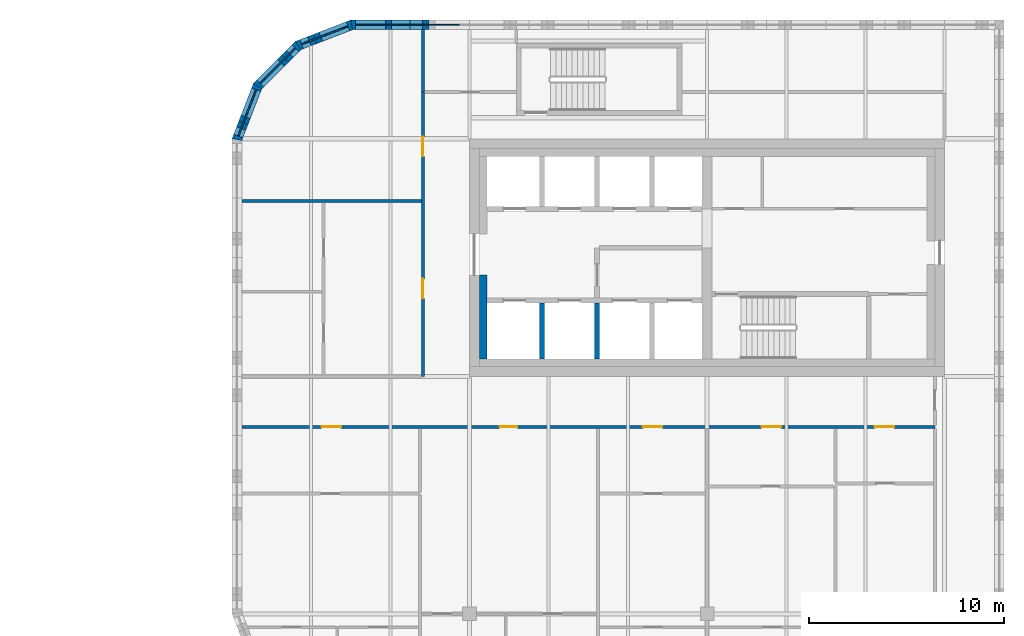
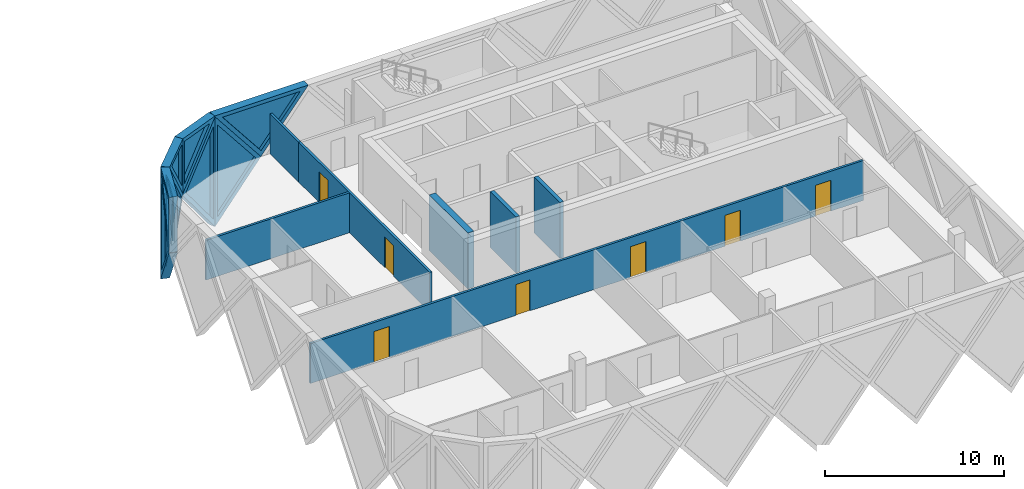
# One storey, part 18 of 24: 15 walls, 8 plates, 7 doors, 15 openings.
"""IFC4 building model written with IfcOpenShell, lengths in metres."""

from ifc_helpers import new_model, si_unit, direction, frame, frame_2d, origin, place, context, subcontext, project, spatial, polyline, rectangle, outline, extrude, faceted_brep, source, transform, mapped, material, layer, layer_set, type_object, element, fill, save


model = new_model("IFC4")

# Units and contexts
model_context = context("Model", 3, precision=1e-05, world=origin(), true_north=direction((0.0, 1.0)))
body_context = subcontext(model_context, "Body", "Model", "MODEL_VIEW")
ifc_project = project(units=[si_unit("LENGTHUNIT", "METRE"), si_unit("AREAUNIT", "SQUARE_METRE"), si_unit("VOLUMEUNIT", "CUBIC_METRE"), si_unit("PLANEANGLEUNIT", "RADIAN"), si_unit("MASSUNIT", "GRAM", prefix="KILO")], contexts=[model_context])

# Site, building, storey
site_placement = place(None, origin())
site = spatial("IfcSite", under=ifc_project, at=site_placement, CompositionType="ELEMENT")
building_placement = place(site_placement, origin())
building = spatial("IfcBuilding", under=site, at=building_placement, Name="Tessera Gate Towers", CompositionType="ELEMENT")
storey_placement = place(building_placement, frame((0.0, 0.0, 102.800048828125)))
storey = spatial("IfcBuildingStorey", under=building, at=storey_placement, Name="L25", CompositionType="ELEMENT", Elevation=102.800048828125)

# Walls
ifc_material_1 = material(Name="Concrete C40/50", Category="concrete")
ifc_layer_1 = layer(ifc_material_1, 0.25)
ifc_layer_set_1 = layer_set([ifc_layer_1], Name="CORE ENCLOSURE WALL 250")
wall_type_1 = type_object("IfcWallType", Name="CORE ENCLOSURE WALL 250", PredefinedType="SOLIDWALL", material=ifc_layer_set_1)
for number, where, z_axis, x_axis, name in (
    (1, (104.14990234375, 37.5, 0.0), (0.0, 0.0, 1.0), (0.0, 1.0, 0.0), "L25 shaft and stair enclosure wall"),
    (2, (101.324951171875, 37.5, 0.0), (0.0, 0.0, 1.0), (0.0, 1.0, 0.0), "L25 shaft and stair enclosure wall"),
):
    element("IfcWall", number, at=place(storey_placement, frame(where, z_axis=z_axis, x_axis=x_axis)), inside=storey, type_object=wall_type_1, Name=name, PredefinedType="SOLIDWALL", context=body_context, shape_type="SweptSolid", body=[
        extrude(rectangle(XDim=2.875, YDim=0.25, at=frame_2d((1.4375, 0.0))), origin(), (0.0, 0.0, 1.0), 3.800048828125),
    ])
ifc_material_2 = material(Name="Concrete C50/60", Category="concrete")
ifc_layer_2 = layer(ifc_material_2, 0.39990234375)
ifc_layer_set_2 = layer_set([ifc_layer_2], Name="CORE WALL THICKENING 400")
wall_type_2 = type_object("IfcWallType", Name="CORE WALL THICKENING 400", PredefinedType="SOLIDWALL", material=ifc_layer_set_2)
wall_1_placement = place(storey_placement, frame((98.300048828125, 37.5, 0.0), z_axis=(0.0, 0.0, 1.0), x_axis=(0.0, 1.0, 0.0)))
element("IfcWall", 3, at=wall_1_placement, inside=storey, type_object=wall_type_2, Name="Core wall thickening W L25", PredefinedType="SOLIDWALL", context=body_context, shape_type="SweptSolid", body=[
    extrude(rectangle(XDim=4.300048828125, YDim=0.39990234375, at=frame_2d((2.14990234375, 0.0))), origin(), (0.0, 0.0, 1.0), 3.800048828125),
])

# Wall, openings, doors
ifc_material_3 = material(Name="Gypsum board on steel studs, mineral wool", Category="steel")
ifc_layer_3 = layer(ifc_material_3, 0.14990234375)
ifc_layer_set_3 = layer_set([ifc_layer_3], Name="CORRIDOR WALL 150")
wall_type_3 = type_object("IfcWallType", Name="CORRIDOR WALL 150", PredefinedType="PARTITIONING", material=ifc_layer_set_3)
wall_2_placement = place(storey_placement, frame((121.5, 34.0, 0.0), z_axis=(0.0, 0.0, 1.0), x_axis=(-1.0, 0.0, 0.0)))
wall_2 = element("IfcWall", 4, at=wall_2_placement, inside=storey, type_object=wall_type_3, Name="T2-L25-PW-024", PredefinedType="PARTITIONING", context=body_context, shape_type="SweptSolid", body=[
    extrude(rectangle(XDim=35.60009765625, YDim=0.14990234375, at=frame_2d((17.800048828125, 0.0))), origin(), (0.0, 0.0, 1.0), 2.71484375),
])
shared_shape_1 = source(origin(), body_context, "Body", "SweptSolid", [
    extrude(rectangle(XDim=1.0, YDim=2.10009765625, at=frame_2d((0.5, 1.050048828125))), frame((0.0, 0.0849609375, 0.0), z_axis=(0.0, -1.0, 0.0), x_axis=(1.0, 0.0, 0.0)), (0.0, 0.0, 1.0), 0.169921875),
])
opening_1_placement = place(wall_2_placement, frame((2.09912109375, 0.0, 0.0)))
opening_1 = element("IfcOpeningElement", 5, at=opening_1_placement, cuts=wall_2, Name="Opening D2100FD60-B10-01", PredefinedType="OPENING", context=body_context, shape_type="MappedRepresentation", body=[
    mapped(shared_shape_1, transform((0.0, 0.0, 0.0), scale=1.0)),
])
opening_2_placement = place(wall_2_placement, frame((13.9990234375, 0.0, 0.0)))
opening_2 = element("IfcOpeningElement", 6, at=opening_2_placement, cuts=wall_2, Name="Opening D2100FD60-B10-02", PredefinedType="OPENING", context=body_context, shape_type="MappedRepresentation", body=[
    mapped(shared_shape_1, transform((0.0, 0.0, 0.0), scale=1.0)),
])
opening_3_placement = place(wall_2_placement, frame((7.89990234375, 0.0, 0.0)))
opening_3 = element("IfcOpeningElement", 7, at=opening_3_placement, cuts=wall_2, Name="Opening D2100FD60-B10-04", PredefinedType="OPENING", context=body_context, shape_type="MappedRepresentation", body=[
    mapped(shared_shape_1, transform((0.0, 0.0, 0.0), scale=1.0)),
])
opening_4_placement = place(wall_2_placement, frame((30.5, 0.0, 0.0)))
opening_4 = element("IfcOpeningElement", 8, at=opening_4_placement, cuts=wall_2, Name="Opening D2100FD60-B10-05", PredefinedType="OPENING", context=body_context, shape_type="MappedRepresentation", body=[
    mapped(shared_shape_1, transform((0.0, 0.0, 0.0), scale=1.0)),
])
shared_shape_2 = source(origin(), body_context, "Body", "SweptSolid", [
    extrude(rectangle(XDim=0.89990234375, YDim=2.10009765625, at=frame_2d((0.449951171875, 1.050048828125))), frame((0.0, 0.0849609375, 0.0), z_axis=(0.0, -1.0, 0.0), x_axis=(1.0, 0.0, 0.0)), (0.0, 0.0, 1.0), 0.169921875),
])
opening_5_placement = place(wall_2_placement, frame((21.449951171875, 0.0, 0.0)))
opening_5 = element("IfcOpeningElement", 9, at=opening_5_placement, cuts=wall_2, Name="Opening D890FD60-B10-02", PredefinedType="OPENING", context=body_context, shape_type="MappedRepresentation", body=[
    mapped(shared_shape_2, transform((0.0, 0.0, 0.0), scale=1.0)),
])
ifc_material_4 = material(Name="Timber door leaf in steel frame", Category="steel")
door_type_1 = type_object("IfcDoorType", Name="CORRIDOR DOOR 900 FD60", OperationType="NOTDEFINED", PredefinedType="DOOR", material=ifc_material_4)
shared_shape_3 = source(origin(), body_context, "Body", "SweptSolid", [
    extrude(rectangle(XDim=0.89990234375, YDim=2.10009765625, at=frame_2d((0.449951171875, 1.050048828125))), frame((0.0, 0.02490234375, 0.0), z_axis=(0.0, -1.0, 0.0), x_axis=(1.0, 0.0, 0.0)), (0.0, 0.0, 1.0), 0.050048828125),
])
door_1_placement = place(opening_5_placement, origin())
door_1 = element("IfcDoor", 10, at=door_1_placement, inside=storey, type_object=door_type_1, Name="T2-L25-PD-020", OperationType="SINGLE_SWING_RIGHT", OverallHeight=2.10009765625, OverallWidth=0.89990234375, PredefinedType="DOOR", context=body_context, shape_type="MappedRepresentation", body=[
    mapped(shared_shape_3, transform((0.0, 0.0, 0.0), scale=1.0)),
])
fill(opening_5, door_1)
ifc_material_5 = material(Name="Timber door leaf in steel frame", Category="steel")
door_type_2 = type_object("IfcDoorType", Name="TENANCY ENTRANCE DOOR 1000 FD60", OperationType="NOTDEFINED", PredefinedType="DOOR", material=ifc_material_5)
shared_shape_4 = source(origin(), body_context, "Body", "SweptSolid", [
    extrude(rectangle(XDim=1.0, YDim=2.10009765625, at=frame_2d((0.5, 1.050048828125))), frame((0.0, 0.02490234375, 0.0), z_axis=(0.0, -1.0, 0.0), x_axis=(1.0, 0.0, 0.0)), (0.0, 0.0, 1.0), 0.050048828125),
])
door_2_placement = place(opening_1_placement, origin())
door_2 = element("IfcDoor", 11, at=door_2_placement, inside=storey, type_object=door_type_2, Name="T2-L25-PD-010", OperationType="SINGLE_SWING_RIGHT", OverallHeight=2.10009765625, OverallWidth=1.0, PredefinedType="DOOR", context=body_context, shape_type="MappedRepresentation", body=[
    mapped(shared_shape_4, transform((0.0, 0.0, 0.0), scale=1.0)),
])
fill(opening_1, door_2)
door_3_placement = place(opening_2_placement, origin())
door_3 = element("IfcDoor", 12, at=door_3_placement, inside=storey, type_object=door_type_2, Name="T2-L25-PD-013", OperationType="SINGLE_SWING_RIGHT", OverallHeight=2.10009765625, OverallWidth=1.0, PredefinedType="DOOR", context=body_context, shape_type="MappedRepresentation", body=[
    mapped(shared_shape_4, transform((0.0, 0.0, 0.0), scale=1.0)),
])
fill(opening_2, door_3)
door_4_placement = place(opening_3_placement, origin())
door_4 = element("IfcDoor", 13, at=door_4_placement, inside=storey, type_object=door_type_2, Name="T2-L25-PD-017", OperationType="SINGLE_SWING_RIGHT", OverallHeight=2.10009765625, OverallWidth=1.0, PredefinedType="DOOR", context=body_context, shape_type="MappedRepresentation", body=[
    mapped(shared_shape_4, transform((0.0, 0.0, 0.0), scale=1.0)),
])
fill(opening_3, door_4)
door_5_placement = place(opening_4_placement, origin())
door_5 = element("IfcDoor", 14, at=door_5_placement, inside=storey, type_object=door_type_2, Name="T2-L25-PD-018", OperationType="SINGLE_SWING_RIGHT", OverallHeight=2.10009765625, OverallWidth=1.0, PredefinedType="DOOR", context=body_context, shape_type="MappedRepresentation", body=[
    mapped(shared_shape_4, transform((0.0, 0.0, 0.0), scale=1.0)),
])
fill(opening_4, door_5)

wall_3_placement = place(storey_placement, frame((95.199951171875, 36.60009765625, 0.0), z_axis=(0.0, 0.0, 1.0), x_axis=(0.0, 1.0, 0.0)))
wall_3 = element("IfcWall", 15, at=wall_3_placement, inside=storey, type_object=wall_type_3, Name="T2-L25-PW-027", PredefinedType="PARTITIONING", context=body_context, shape_type="SweptSolid", body=[
    extrude(rectangle(XDim=14.599853515625, YDim=0.14990234375, at=frame_2d((7.2998046875, 0.0))), origin(), (0.0, 0.0, 1.0), 2.71484375),
])
opening_6_placement = place(wall_3_placement, frame((11.301025390625, 0.0, 0.0)))
opening_6 = element("IfcOpeningElement", 16, at=opening_6_placement, cuts=wall_3, Name="Opening D2100FD60-B10-03", PredefinedType="OPENING", context=body_context, shape_type="MappedRepresentation", body=[
    mapped(shared_shape_1, transform((0.0, 0.0, 0.0), scale=1.0)),
])
opening_7_placement = place(wall_3_placement, frame((4.0, 0.0, 0.0)))
opening_7 = element("IfcOpeningElement", 17, at=opening_7_placement, cuts=wall_3, Name="Opening D2100FD60-B10-06", PredefinedType="OPENING", context=body_context, shape_type="MappedRepresentation", body=[
    mapped(shared_shape_1, transform((0.0, 0.0, 0.0), scale=1.0)),
])
door_6_placement = place(opening_6_placement, origin())
door_6 = element("IfcDoor", 18, at=door_6_placement, inside=storey, type_object=door_type_2, Name="T2-L25-PD-014", OperationType="SINGLE_SWING_LEFT", OverallHeight=2.10009765625, OverallWidth=1.0, PredefinedType="DOOR", context=body_context, shape_type="MappedRepresentation", body=[
    mapped(shared_shape_4, transform((0.0, 0.0, 0.0), scale=1.0)),
])
fill(opening_6, door_6)
door_7_placement = place(opening_7_placement, origin())
door_7 = element("IfcDoor", 19, at=door_7_placement, inside=storey, type_object=door_type_2, Name="T2-L25-PD-021", OperationType="SINGLE_SWING_LEFT", OverallHeight=2.10009765625, OverallWidth=1.0, PredefinedType="DOOR", context=body_context, shape_type="MappedRepresentation", body=[
    mapped(shared_shape_4, transform((0.0, 0.0, 0.0), scale=1.0)),
])
fill(opening_7, door_7)

# Walls
ifc_material_6 = material(Name="Gypsum board on steel studs, mineral wool", Category="steel")
ifc_layer_4 = layer(ifc_material_6, 0.14990234375)
ifc_layer_set_4 = layer_set([ifc_layer_4], Name="TENANCY WALL 150")
wall_type_4 = type_object("IfcWallType", Name="TENANCY WALL 150", PredefinedType="PARTITIONING", material=ifc_layer_set_4)
wall_4_placement = place(storey_placement, frame((85.89990234375, 45.60009765625, 0.0), z_axis=(0.0, 0.0, 1.0), x_axis=(1.0, 0.0, 0.0)))
element("IfcWall", 20, at=wall_4_placement, inside=storey, type_object=wall_type_4, Name="T2-L25-PW-030", PredefinedType="PARTITIONING", context=body_context, shape_type="SweptSolid", body=[
    extrude(rectangle(XDim=9.22412109375, YDim=0.14990234375, at=frame_2d((4.612060546875, 0.0))), origin(), (0.0, 0.0, 1.0), 2.71484375),
])
wall_5_placement = place(storey_placement, frame((95.199951171875, 51.200927734375, 0.0), z_axis=(0.0, 0.0, 1.0), x_axis=(0.0, 1.0, 0.0)))
element("IfcWall", 21, at=wall_5_placement, inside=storey, type_object=wall_type_4, Name="T2-L25-PW-032", PredefinedType="PARTITIONING", context=body_context, shape_type="SweptSolid", body=[
    extrude(rectangle(XDim=3.198974609375, YDim=0.14990234375, at=frame_2d((1.599609375, 0.0))), origin(), (0.0, 0.0, 1.0), 2.71484375),
])

# Wall, opening, plate
ifc_material_7 = material(Name="Precast concrete C60/75 white", Category="concrete")
ifc_layer_5 = layer(ifc_material_7, 0.5)
ifc_layer_set_5 = layer_set([ifc_layer_5], Name="TS3 corner tessera")
wall_type_5 = type_object("IfcWallType", Name="TS3 corner tessera", PredefinedType="SOLIDWALL", material=ifc_layer_set_5)
shared_shape_5 = source(origin(), body_context, "Body", "Brep", [
    faceted_brep([(3.00341796875, -0.25, 0.0), (3.050048828125, -0.25, 0.06005859375), (3.050048828125, -0.25, 7.5400390625), (3.00341796875, -0.25, 7.60009765625), (0.0, -0.25, 3.800048828125), (0.0, 0.25, 3.800048828125), (2.956787109375, 0.25, 7.541259765625), (2.956787109375, 0.25, 0.058837890625), (3.00341796875, 0.000244140625, 0.0), (3.00341796875, 0.000244140625, 7.60009765625)], [[[0, 1, 2, 3, 4]], [[5, 6, 7]], [[1, 0, 8]], [[9, 3, 2]], [[6, 5, 4, 3, 9]], [[5, 7, 8, 0, 4]], [[1, 8, 7, 6, 9, 2]]]),
])
wall_6_placement = place(storey_placement, frame((94.550048828125, 54.64990234375, -3.800048828125), z_axis=(0.0, 0.0, 1.0), x_axis=(-1.0, 0.0, 0.0)))
wall_6 = element("IfcWall", 22, at=wall_6_placement, inside=storey, type_object=wall_type_5, Name="Precast corner tessera T2 TS3-0375", PredefinedType="SOLIDWALL", context=body_context, shape_type="MappedRepresentation", body=[
    mapped(shared_shape_5, transform((0.0, 0.0, 0.0), scale=1.0)),
])
shared_shape_6 = source(origin(), body_context, "Body", "SweptSolid", [
    extrude(outline(polyline([(2.803466796875, 6.94384765625), (0.318603515625, 3.800048828125), (2.803466796875, 0.65625), (2.803466796875, 6.94384765625)])), frame((0.0, 0.260009765625, 0.0), z_axis=(0.0, -1.0, 0.0), x_axis=(1.0, 0.0, 0.0)), (0.0, 0.0, 1.0), 0.52001953125),
])
opening_8_placement = place(wall_6_placement, origin())
opening_8 = element("IfcOpeningElement", 23, at=opening_8_placement, cuts=wall_6, Name="Opening T2-PL2-0592", PredefinedType="OPENING", context=body_context, shape_type="MappedRepresentation", body=[
    mapped(shared_shape_6, transform((0.0, 0.0, 0.0), scale=1.0)),
])
ifc_material_8 = material(Name="Low-e laminated glass", Category="glass")
ifc_layer_6 = layer(ifc_material_8, 0.06005859375)
ifc_layer_set_6 = layer_set([ifc_layer_6], Name="PL2 rhombic pane")
plate_type_1 = type_object("IfcPlateType", Name="PL2 rhombic pane", PredefinedType="SHEET", material=ifc_layer_set_6)
shared_shape_7 = source(origin(), body_context, "Body", "SweptSolid", [
    extrude(outline(polyline([(2.803466796875, 6.94384765625), (0.318603515625, 3.800048828125), (2.803466796875, 0.65625), (2.803466796875, 6.94384765625)])), frame((0.0, 0.030029296875, 0.0), z_axis=(0.0, -1.0, 0.0), x_axis=(1.0, 0.0, 0.0)), (0.0, 0.0, 1.0), 0.06005859375),
])
plate_1_placement = place(opening_8_placement, origin())
plate_1 = element("IfcPlate", 24, at=plate_1_placement, inside=storey, type_object=plate_type_1, Name="Glass pane T2 PL2-0592", PredefinedType="SHEET", context=body_context, shape_type="MappedRepresentation", body=[
    mapped(shared_shape_7, transform((0.0, 0.0, 0.0), scale=1.0)),
])
fill(opening_8, plate_1)

shared_shape_8 = source(origin(), body_context, "Body", "Brep", [
    faceted_brep([(0.052978515625, -0.25, 0.0), (3.00341796875, -0.25, 3.800048828125), (0.052978515625, -0.25, 7.60009765625), (0.0, -0.25, 7.53173828125), (0.0, -0.25, 0.068359375), (0.10595703125, 0.25, 7.531982421875), (2.95703125, 0.25, 3.85986328125), (2.95703125, 0.25, 3.740234375), (0.10595703125, 0.25, 0.068115234375), (3.00341796875, 0.00048828125, 3.800048828125), (0.052978515625, 0.0, 0.0), (0.052978515625, 0.0, 7.60009765625)], [[[0, 1, 2, 3, 4]], [[5, 6, 7, 8]], [[8, 7, 9, 1, 0, 10]], [[6, 5, 11, 2, 1, 9]], [[3, 2, 11]], [[10, 0, 4]], [[8, 10, 4, 3, 11, 5]], [[9, 7, 6]]]),
])
wall_7_placement = place(storey_placement, frame((86.73095703125, 51.5556640625, -3.800048828125), z_axis=(0.0, 0.0, 1.0), x_axis=(-0.359855894603, -0.933007896601, 0.0)))
wall_7 = element("IfcWall", 25, at=wall_7_placement, inside=storey, type_object=wall_type_5, Name="Precast corner tessera T2 TS3-0378", PredefinedType="SOLIDWALL", context=body_context, shape_type="MappedRepresentation", body=[
    mapped(shared_shape_8, transform((0.0, 0.0, 0.0), scale=1.0)),
])
shared_shape_9 = source(origin(), body_context, "Body", "SweptSolid", [
    extrude(outline(polyline([(0.2529296875, 0.665283203125), (2.68701171875, 3.800048828125), (0.2529296875, 6.934814453125), (0.2529296875, 0.665283203125)])), frame((0.0, 0.260009765625, 0.0), z_axis=(0.0, -1.0, 0.0), x_axis=(1.0, 0.0, 0.0)), (0.0, 0.0, 1.0), 0.52001953125),
])
opening_9_placement = place(wall_7_placement, origin())
opening_9 = element("IfcOpeningElement", 26, at=opening_9_placement, cuts=wall_7, Name="Opening T2-PL2-0595", PredefinedType="OPENING", context=body_context, shape_type="MappedRepresentation", body=[
    mapped(shared_shape_9, transform((0.0, 0.0, 0.0), scale=1.0)),
])
shared_shape_10 = source(origin(), body_context, "Body", "SweptSolid", [
    extrude(outline(polyline([(0.2529296875, 0.665283203125), (2.68701171875, 3.800048828125), (0.2529296875, 6.934814453125), (0.2529296875, 0.665283203125)])), frame((0.0, 0.030029296875, 0.0), z_axis=(0.0, -1.0, 0.0), x_axis=(1.0, 0.0, 0.0)), (0.0, 0.0, 1.0), 0.06005859375),
])
plate_2_placement = place(opening_9_placement, origin())
plate_2 = element("IfcPlate", 27, at=plate_2_placement, inside=storey, type_object=plate_type_1, Name="Glass pane T2 PL2-0595", PredefinedType="SHEET", context=body_context, shape_type="MappedRepresentation", body=[
    mapped(shared_shape_10, transform((0.0, 0.0, 0.0), scale=1.0)),
])
fill(opening_9, plate_2)

shared_shape_11 = source(origin(), body_context, "Body", "Brep", [
    faceted_brep([(2.944091796875, -0.25, 0.0), (2.9970703125, -0.25, 0.068115234375), (2.9970703125, -0.25, 7.531982421875), (2.944091796875, -0.25, 7.60009765625), (0.0, -0.25, 3.800048828125), (0.052978515625, 0.25, 3.868408203125), (2.89111328125, 0.25, 7.531982421875), (2.89111328125, 0.25, 0.068115234375), (0.052978515625, 0.25, 3.731689453125), (2.944091796875, 0.000244140625, 0.0), (2.944091796875, 0.000244140625, 7.60009765625), (0.0, 0.0, 3.800048828125)], [[[0, 1, 2, 3, 4]], [[5, 6, 7, 8]], [[1, 0, 9]], [[10, 3, 2]], [[6, 5, 11, 4, 3, 10]], [[8, 7, 9, 0, 4, 11]], [[8, 11, 5]], [[1, 9, 7, 6, 10, 2]]]),
])
wall_8_placement = place(storey_placement, frame((88.793701171875, 53.588134765625, -3.800048828125), z_axis=(0.0, 0.0, 1.0), x_axis=(-0.707066050402, -0.707147509625, 0.0)))
wall_8 = element("IfcWall", 28, at=wall_8_placement, inside=storey, type_object=wall_type_5, Name="Precast corner tessera T2 TS3-0377", PredefinedType="SOLIDWALL", context=body_context, shape_type="MappedRepresentation", body=[
    mapped(shared_shape_11, transform((0.0, 0.0, 0.0), scale=1.0)),
])
shared_shape_12 = source(origin(), body_context, "Body", "SweptSolid", [
    extrude(outline(polyline([(2.744140625, 6.93359375), (0.316162109375, 3.800048828125), (2.744140625, 0.666259765625), (2.744140625, 6.93359375)])), frame((0.0, 0.260009765625, 0.0), z_axis=(0.0, -1.0, 0.0), x_axis=(1.0, 0.0, 0.0)), (0.0, 0.0, 1.0), 0.52001953125),
])
opening_10_placement = place(wall_8_placement, origin())
opening_10 = element("IfcOpeningElement", 29, at=opening_10_placement, cuts=wall_8, Name="Opening T2-PL2-0594", PredefinedType="OPENING", context=body_context, shape_type="MappedRepresentation", body=[
    mapped(shared_shape_12, transform((0.0, 0.0, 0.0), scale=1.0)),
])
shared_shape_13 = source(origin(), body_context, "Body", "SweptSolid", [
    extrude(outline(polyline([(2.744140625, 6.93359375), (0.316162109375, 3.800048828125), (2.744140625, 0.666259765625), (2.744140625, 6.93359375)])), frame((0.0, 0.030029296875, 0.0), z_axis=(0.0, -1.0, 0.0), x_axis=(1.0, 0.0, 0.0)), (0.0, 0.0, 1.0), 0.06005859375),
])
plate_3_placement = place(opening_10_placement, origin())
plate_3 = element("IfcPlate", 30, at=plate_3_placement, inside=storey, type_object=plate_type_1, Name="Glass pane T2 PL2-0594", PredefinedType="SHEET", context=body_context, shape_type="MappedRepresentation", body=[
    mapped(shared_shape_13, transform((0.0, 0.0, 0.0), scale=1.0)),
])
fill(opening_10, plate_3)

shared_shape_14 = source(origin(), body_context, "Body", "Brep", [
    faceted_brep([(2.950439453125, -0.25, 0.0), (2.9970703125, -0.25, 0.05908203125), (2.9970703125, -0.25, 3.800048828125), (0.0, -0.25, 3.800048828125), (0.052978515625, 0.25, 3.800048828125), (2.904052734375, 0.25, 3.800048828125), (2.904052734375, 0.25, 0.059814453125), (0.052978515625, 0.25, 3.73193359375), (2.950439453125, 0.00048828125, 0.0), (0.0, 0.0, 3.800048828125)], [[[0, 1, 2, 3]], [[4, 5, 6, 7]], [[1, 0, 8]], [[5, 4, 9, 3, 2]], [[7, 6, 8, 0, 3, 9]], [[7, 9, 4]], [[1, 8, 6, 5, 2]]]),
])
wall_9_placement = place(storey_placement, frame((86.7119140625, 51.50634765625, 0.0), z_axis=(0.0, 0.0, 1.0), x_axis=(-0.359874094142, -0.933000876937, 0.0)))
wall_9 = element("IfcWall", 31, at=wall_9_placement, inside=storey, type_object=wall_type_5, Name="Precast corner tessera T2 TS3-0387", PredefinedType="SOLIDWALL", context=body_context, shape_type="MappedRepresentation", body=[
    mapped(shared_shape_14, transform((0.0, 0.0, 0.0), scale=1.0)),
])
shared_shape_15 = source(origin(), body_context, "Body", "SweptSolid", [
    extrude(outline(polyline([(2.75048828125, 3.550048828125), (0.5107421875, 3.550048828125), (2.75048828125, 0.665283203125), (2.75048828125, 3.550048828125)])), frame((0.0, 0.260009765625, 0.0), z_axis=(0.0, -1.0, 0.0), x_axis=(1.0, 0.0, 0.0)), (0.0, 0.0, 1.0), 0.52001953125),
])
opening_11_placement = place(wall_9_placement, origin())
opening_11 = element("IfcOpeningElement", 32, at=opening_11_placement, cuts=wall_9, Name="Opening T2-PL1-0253", PredefinedType="OPENING", context=body_context, shape_type="MappedRepresentation", body=[
    mapped(shared_shape_15, transform((0.0, 0.0, 0.0), scale=1.0)),
])
ifc_material_9 = material(Name="Low-e laminated glass", Category="glass")
ifc_layer_7 = layer(ifc_material_9, 0.06005859375)
ifc_layer_set_7 = layer_set([ifc_layer_7], Name="PL1 triangular pane")
plate_type_2 = type_object("IfcPlateType", Name="PL1 triangular pane", PredefinedType="SHEET", material=ifc_layer_set_7)
shared_shape_16 = source(origin(), body_context, "Body", "SweptSolid", [
    extrude(outline(polyline([(2.75048828125, 3.550048828125), (0.5107421875, 3.550048828125), (2.75048828125, 0.665283203125), (2.75048828125, 3.550048828125)])), frame((0.0, 0.030029296875, 0.0), z_axis=(0.0, -1.0, 0.0), x_axis=(1.0, 0.0, 0.0)), (0.0, 0.0, 1.0), 0.06005859375),
])
plate_4_placement = place(opening_11_placement, origin())
plate_4 = element("IfcPlate", 33, at=plate_4_placement, inside=storey, type_object=plate_type_2, Name="Glass pane T2 PL1-0253", PredefinedType="SHEET", context=body_context, shape_type="MappedRepresentation", body=[
    mapped(shared_shape_16, transform((0.0, 0.0, 0.0), scale=1.0)),
])
fill(opening_11, plate_4)

ifc_material_10 = material(Name="Precast concrete C60/75 white", Category="concrete")
ifc_layer_8 = layer(ifc_material_10, 0.5)
ifc_layer_set_8 = layer_set([ifc_layer_8], Name="TS2 half tessera")
wall_type_6 = type_object("IfcWallType", Name="TS2 half tessera", PredefinedType="SOLIDWALL", material=ifc_layer_set_8)
shared_shape_17 = source(origin(), body_context, "Body", "Brep", [
    faceted_brep([(3.050048828125, -0.25, 0.0), (6.053466796875, -0.25, 3.800048828125), (0.0, -0.25, 3.800048828125), (0.0, 0.25, 3.800048828125), (6.0068359375, 0.25, 3.800048828125), (6.0068359375, 0.25, 3.7412109375), (3.050048828125, 0.25, 0.0), (6.053466796875, 0.0, 3.800048828125)], [[[0, 1, 2]], [[3, 4, 5, 6]], [[6, 5, 7, 1, 0]], [[4, 3, 2, 1, 7]], [[3, 6, 0, 2]], [[5, 4, 7]]]),
])
wall_10_placement = place(storey_placement, frame((97.60009765625, 54.64990234375, 0.0), z_axis=(0.0, 0.0, 1.0), x_axis=(-1.0, 0.0, 0.0)))
wall_10 = element("IfcWall", 34, at=wall_10_placement, inside=storey, type_object=wall_type_6, Name="Precast half tessera T2 TS2-0142", PredefinedType="SOLIDWALL", context=body_context, shape_type="MappedRepresentation", body=[
    mapped(shared_shape_17, transform((0.0, 0.0, 0.0), scale=1.0)),
])
shared_shape_18 = source(origin(), body_context, "Body", "SweptSolid", [
    extrude(outline(polyline([(3.048583984375, 0.401123046875), (5.537109375, 3.550048828125), (0.521240234375, 3.550048828125), (3.048583984375, 0.401123046875)])), frame((0.0, 0.260009765625, 0.0), z_axis=(0.0, -1.0, 0.0), x_axis=(1.0, 0.0, 0.0)), (0.0, 0.0, 1.0), 0.52001953125),
])
opening_12_placement = place(wall_10_placement, origin())
opening_12 = element("IfcOpeningElement", 35, at=opening_12_placement, cuts=wall_10, Name="Opening T2-PL1-0250", PredefinedType="OPENING", context=body_context, shape_type="MappedRepresentation", body=[
    mapped(shared_shape_18, transform((0.0, 0.0, 0.0), scale=1.0)),
])
shared_shape_19 = source(origin(), body_context, "Body", "SweptSolid", [
    extrude(outline(polyline([(3.048583984375, 0.401123046875), (5.537109375, 3.550048828125), (0.521240234375, 3.550048828125), (3.048583984375, 0.401123046875)])), frame((0.0, 0.030029296875, 0.0), z_axis=(0.0, -1.0, 0.0), x_axis=(1.0, 0.0, 0.0)), (0.0, 0.0, 1.0), 0.06005859375),
])
plate_5_placement = place(opening_12_placement, origin())
plate_5 = element("IfcPlate", 36, at=plate_5_placement, inside=storey, type_object=plate_type_2, Name="Glass pane T2 PL1-0250", PredefinedType="SHEET", context=body_context, shape_type="MappedRepresentation", body=[
    mapped(shared_shape_19, transform((0.0, 0.0, 0.0), scale=1.0)),
])
fill(opening_12, plate_5)

shared_shape_20 = source(origin(), body_context, "Body", "Brep", [
    faceted_brep([(0.052978515625, -0.25, 0.0), (2.9970703125, -0.25, 3.800048828125), (0.0, -0.25, 3.800048828125), (0.0, -0.25, 0.068115234375), (0.10595703125, 0.25, 3.800048828125), (2.944091796875, 0.25, 3.800048828125), (2.944091796875, 0.25, 3.73193359375), (0.10595703125, 0.25, 0.068359375), (2.9970703125, 0.000244140625, 3.800048828125), (0.052978515625, 0.0, 0.0)], [[[0, 1, 2, 3]], [[4, 5, 6, 7]], [[7, 6, 8, 1, 0, 9]], [[5, 4, 2, 1, 8]], [[9, 0, 3]], [[7, 9, 3, 2, 4]], [[6, 5, 8]]]),
])
wall_11_placement = place(storey_placement, frame((88.831298828125, 53.62548828125, 0.0), z_axis=(0.0, 0.0, 1.0), x_axis=(-0.707147509625, -0.707066050402, 0.0)))
wall_11 = element("IfcWall", 37, at=wall_11_placement, inside=storey, type_object=wall_type_5, Name="Precast corner tessera T2 TS3-0386", PredefinedType="SOLIDWALL", context=body_context, shape_type="MappedRepresentation", body=[
    mapped(shared_shape_20, transform((0.0, 0.0, 0.0), scale=1.0)),
])
shared_shape_21 = source(origin(), body_context, "Body", "SweptSolid", [
    extrude(outline(polyline([(0.2529296875, 0.666259765625), (2.487060546875, 3.550048828125), (0.2529296875, 3.550048828125), (0.2529296875, 0.666259765625)])), frame((0.0, 0.260009765625, 0.0), z_axis=(0.0, -1.0, 0.0), x_axis=(1.0, 0.0, 0.0)), (0.0, 0.0, 1.0), 0.52001953125),
])
opening_13_placement = place(wall_11_placement, origin())
opening_13 = element("IfcOpeningElement", 38, at=opening_13_placement, cuts=wall_11, Name="Opening T2-PL1-0252", PredefinedType="OPENING", context=body_context, shape_type="MappedRepresentation", body=[
    mapped(shared_shape_21, transform((0.0, 0.0, 0.0), scale=1.0)),
])
shared_shape_22 = source(origin(), body_context, "Body", "SweptSolid", [
    extrude(outline(polyline([(0.2529296875, 0.666259765625), (2.487060546875, 3.550048828125), (0.2529296875, 3.550048828125), (0.2529296875, 0.666259765625)])), frame((0.0, 0.030029296875, 0.0), z_axis=(0.0, -1.0, 0.0), x_axis=(1.0, 0.0, 0.0)), (0.0, 0.0, 1.0), 0.06005859375),
])
plate_6_placement = place(opening_13_placement, origin())
plate_6 = element("IfcPlate", 39, at=plate_6_placement, inside=storey, type_object=plate_type_2, Name="Glass pane T2 PL1-0252", PredefinedType="SHEET", context=body_context, shape_type="MappedRepresentation", body=[
    mapped(shared_shape_22, transform((0.0, 0.0, 0.0), scale=1.0)),
])
fill(opening_13, plate_6)

shared_shape_23 = source(origin(), body_context, "Body", "Brep", [
    faceted_brep([(2.950439453125, -0.25, 0.0), (3.00341796875, -0.25, 0.068359375), (3.00341796875, -0.25, 3.800048828125), (0.0, -0.25, 3.800048828125), (0.046630859375, 0.25, 3.800048828125), (2.897705078125, 0.25, 3.800048828125), (2.897705078125, 0.25, 0.068115234375), (0.046630859375, 0.25, 3.739990234375), (2.950439453125, 0.00048828125, 0.0), (0.0, 0.0, 3.800048828125)], [[[0, 1, 2, 3]], [[4, 5, 6, 7]], [[1, 0, 8]], [[5, 4, 9, 3, 2]], [[7, 6, 8, 0, 3, 9]], [[7, 9, 4]], [[1, 8, 6, 5, 2]]]),
])
wall_12_placement = place(storey_placement, frame((91.546630859375, 54.64990234375, 0.0), z_axis=(0.0, 0.0, 1.0), x_axis=(-0.933007896601, -0.359855894603, 0.0)))
wall_12 = element("IfcWall", 40, at=wall_12_placement, inside=storey, type_object=wall_type_5, Name="Precast corner tessera T2 TS3-0385", PredefinedType="SOLIDWALL", context=body_context, shape_type="MappedRepresentation", body=[
    mapped(shared_shape_23, transform((0.0, 0.0, 0.0), scale=1.0)),
])
opening_14_placement = place(wall_12_placement, origin())
opening_14 = element("IfcOpeningElement", 41, at=opening_14_placement, cuts=wall_12, Name="Opening T2-PL1-0251", PredefinedType="OPENING", context=body_context, shape_type="MappedRepresentation", body=[
    mapped(shared_shape_15, transform((0.0, 0.0, 0.0), scale=1.0)),
])
plate_7_placement = place(opening_14_placement, origin())
plate_7 = element("IfcPlate", 42, at=plate_7_placement, inside=storey, type_object=plate_type_2, Name="Glass pane T2 PL1-0251", PredefinedType="SHEET", context=body_context, shape_type="MappedRepresentation", body=[
    mapped(shared_shape_16, transform((0.0, 0.0, 0.0), scale=1.0)),
])
fill(opening_14, plate_7)

shared_shape_24 = source(origin(), body_context, "Body", "Brep", [
    faceted_brep([(0.046630859375, -0.25, 0.0), (2.9970703125, -0.25, 3.800048828125), (0.046630859375, -0.25, 7.60009765625), (0.0, -0.25, 7.541259765625), (0.0, -0.25, 0.058837890625), (0.09326171875, 0.25, 7.5400390625), (2.9443359375, 0.25, 3.8681640625), (2.9443359375, 0.25, 3.73193359375), (0.09326171875, 0.25, 0.06005859375), (2.9970703125, 0.00048828125, 3.800048828125), (0.046630859375, 0.0, 0.0), (0.046630859375, 0.0, 7.60009765625)], [[[0, 1, 2, 3, 4]], [[5, 6, 7, 8]], [[8, 7, 9, 1, 0, 10]], [[6, 5, 11, 2, 1, 9]], [[3, 2, 11]], [[10, 0, 4]], [[8, 10, 4, 3, 11, 5]], [[9, 7, 6]]]),
])
wall_13_placement = place(storey_placement, frame((91.590087890625, 54.666748046875, -3.800048828125), z_axis=(0.0, 0.0, 1.0), x_axis=(-0.933000876937, -0.359874094142, 0.0)))
wall_13 = element("IfcWall", 43, at=wall_13_placement, inside=storey, type_object=wall_type_5, Name="Precast corner tessera T2 TS3-0376", PredefinedType="SOLIDWALL", context=body_context, shape_type="MappedRepresentation", body=[
    mapped(shared_shape_24, transform((0.0, 0.0, 0.0), scale=1.0)),
])
shared_shape_25 = source(origin(), body_context, "Body", "SweptSolid", [
    extrude(outline(polyline([(0.24658203125, 0.665283203125), (2.6806640625, 3.800048828125), (0.24658203125, 6.934814453125), (0.24658203125, 0.665283203125)])), frame((0.0, 0.260009765625, 0.0), z_axis=(0.0, -1.0, 0.0), x_axis=(1.0, 0.0, 0.0)), (0.0, 0.0, 1.0), 0.52001953125),
])
opening_15_placement = place(wall_13_placement, origin())
opening_15 = element("IfcOpeningElement", 44, at=opening_15_placement, cuts=wall_13, Name="Opening T2-PL2-0593", PredefinedType="OPENING", context=body_context, shape_type="MappedRepresentation", body=[
    mapped(shared_shape_25, transform((0.0, 0.0, 0.0), scale=1.0)),
])
shared_shape_26 = source(origin(), body_context, "Body", "SweptSolid", [
    extrude(outline(polyline([(0.24658203125, 0.665283203125), (2.6806640625, 3.800048828125), (0.24658203125, 6.934814453125), (0.24658203125, 0.665283203125)])), frame((0.0, 0.030029296875, 0.0), z_axis=(0.0, -1.0, 0.0), x_axis=(1.0, 0.0, 0.0)), (0.0, 0.0, 1.0), 0.06005859375),
])
plate_8_placement = place(opening_15_placement, origin())
plate_8 = element("IfcPlate", 45, at=plate_8_placement, inside=storey, type_object=plate_type_1, Name="Glass pane T2 PL2-0593", PredefinedType="SHEET", context=body_context, shape_type="MappedRepresentation", body=[
    mapped(shared_shape_26, transform((0.0, 0.0, 0.0), scale=1.0)),
])
fill(opening_15, plate_8)

save(model, "model.ifc")
